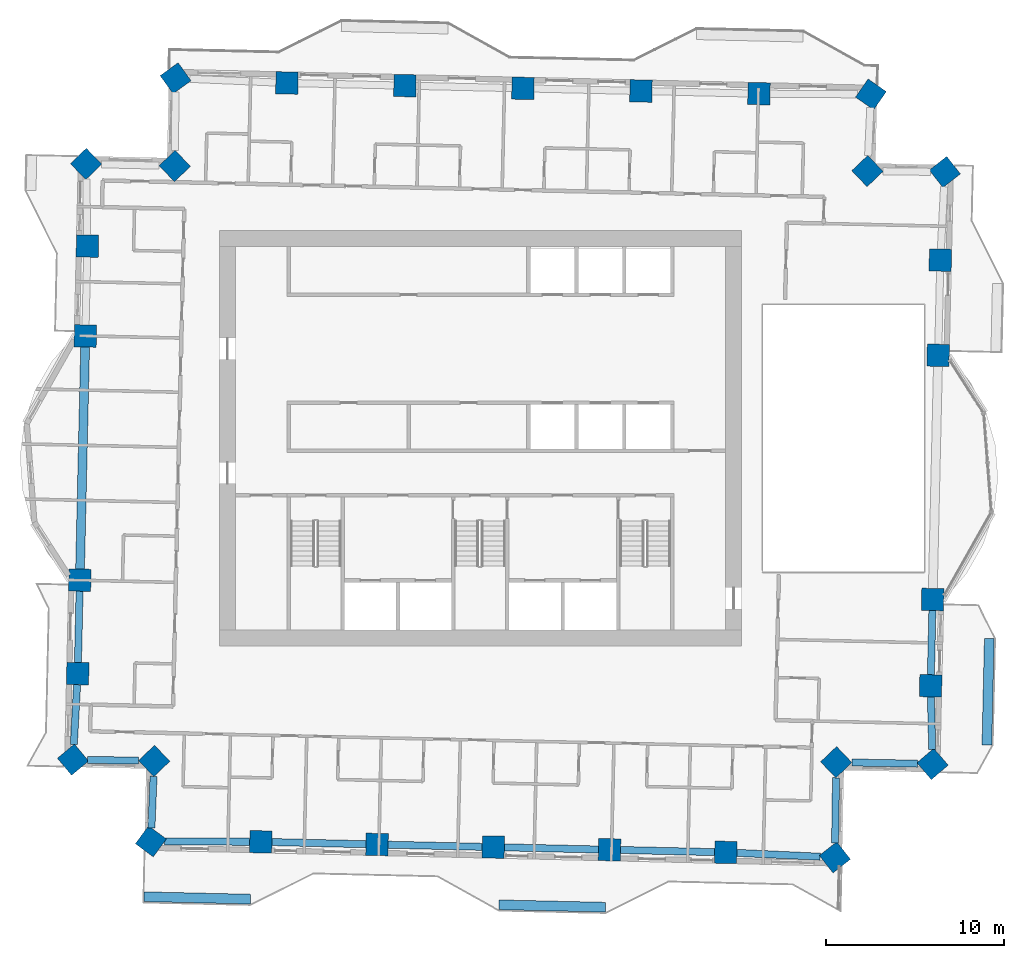
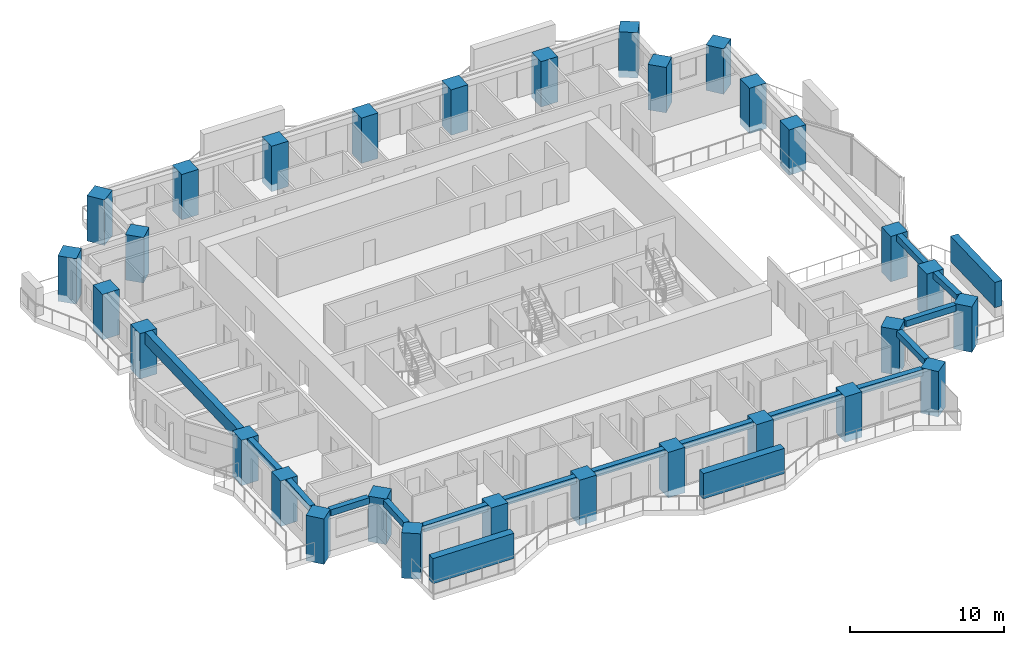
# One storey, part 1 of 14: 30 columns, 15 beams, 3 members.
"""IFC4 building model written with IfcOpenShell, lengths in metres."""

from ifc_helpers import new_model, si_unit, direction, frame, origin, origin_2d, place, context, subcontext, project, spatial, rectangle, extrude, material, material_profile, profile_set, type_object, element, save


model = new_model("IFC4")

# Units and contexts
model_context = context("Model", 3, precision=1e-05, world=origin(), true_north=direction((0.0, 1.0)))
body_context = subcontext(model_context, "Body", "Model", "MODEL_VIEW")
ifc_project = project(units=[si_unit("LENGTHUNIT", "METRE"), si_unit("AREAUNIT", "SQUARE_METRE"), si_unit("VOLUMEUNIT", "CUBIC_METRE"), si_unit("PLANEANGLEUNIT", "RADIAN"), si_unit("MASSUNIT", "GRAM", prefix="KILO")], contexts=[model_context])

# Site, building, storey
site_placement = place(None, origin())
site = spatial("IfcSite", under=ifc_project, at=site_placement, CompositionType="ELEMENT")
building_placement = place(site_placement, origin())
building = spatial("IfcBuilding", under=site, at=building_placement, Name="Mangrove Gate Tower", CompositionType="ELEMENT")
storey_placement = place(building_placement, frame((0.0, 0.0, 159.89990234375)))
storey = spatial("IfcBuildingStorey", under=building, at=storey_placement, Name="L40", CompositionType="ELEMENT", Elevation=159.89990234375)

# Columns
ifc_material_1 = material(Name="Concrete C60/75", Category="concrete")
ifc_material_profile_1 = material_profile(ifc_material_1, rectangle(XDim=1.25, YDim=1.25, at=origin_2d()))
ifc_profile_set_1 = profile_set([ifc_material_profile_1], Name="Concrete C60/75")
column_type = type_object("IfcColumnType", Name="Column RC 1250x1250 C60/75", PredefinedType="COLUMN", material=ifc_profile_set_1)
for number, where, z_axis, x_axis, name in (
    (1, (-22.565185546875, -7.979248046875, -0.5498046875), (0.0, 0.0, 1.0), (-0.022667651322, -0.999743055782, 0.0), "Column L40 W05"),
    (2, (-22.68408203125, -13.240234375, -0.5498046875), (0.0, 0.0, 1.0), (-0.022613490188, -0.999744282335, 0.0), "Column L40 W06"),
    (3, (-22.9482421875, -18.08642578125, -0.5498046875), (0.0, 0.0, 1.0), (0.640873753585, -0.767646293527, 0.0), "Column L40 W07"),
    (4, (-18.378173828125, -18.1591796875, -0.5498046875), (0.0, 0.0, 1.0), (0.690859559249, -0.722988982899, 0.0), "Column L40 W08"),
    (5, (-18.563232421875, -22.686767578125, -0.5498046875), (0.0, 0.0, 1.0), (0.804996144733, -0.593280040929, 0.0), "Column L40 S01"),
    (6, (-12.374755859375, -22.713134765625, -0.5498046875), (0.0, 0.0, 1.0), (0.999742702367, -0.022683233105, 0.0), "Column L40 S02"),
    (7, (-5.829833984375, -22.862060546875, -0.5498046875), (0.0, 0.0, 1.0), (0.999742702367, -0.022683233105, 0.0), "Column L40 S03"),
    (8, (0.715087890625, -23.01025390625, -0.5498046875), (0.0, 0.0, 1.0), (0.999742702367, -0.022683233105, 0.0), "Column L40 S04"),
    (9, (7.26025390625, -23.1591796875, -0.5498046875), (0.0, 0.0, 1.0), (0.999742702367, -0.022683233105, 0.0), "Column L40 S05"),
    (10, (13.80517578125, -23.30712890625, -0.5498046875), (0.0, 0.0, 1.0), (0.999742702367, -0.022683233105, 0.0), "Column L40 S06"),
    (11, (19.94921875, -23.590087890625, -0.5498046875), (0.0, 0.0, 1.0), (0.785651346068, 0.618669509853, 0.0), "Column L40 S07"),
    (12, (20.026123046875, -18.230224609375, -0.5498046875), (0.0, 0.0, 1.0), (0.722965976266, 0.690883635037, 0.0), "Column L40 E01"),
    (13, (25.449462890625, -18.3310546875, -0.5498046875), (0.0, 0.0, 1.0), (0.758167511602, 0.65205983188, 0.0), "Column L40 E02"),
    (14, (25.342041015625, -13.9296875, -0.5498046875), (0.0, 0.0, 1.0), (0.022726069892, 0.999741729522, 0.0), "Column L40 E03"),
    (15, (25.453125, -9.06884765625, -0.5498046875), (0.0, 0.0, 1.0), (0.022725057863, 0.999741752527, 0.0), "Column L40 E04"),
    (16, (25.76513671875, 4.67919921875, -0.5498046875), (0.0, 0.0, 1.0), (0.022654843895, 0.999743346088, 0.0), "Column L40 E05"),
    (17, (25.88623046875, 10.0390625, -0.5498046875), (0.0, 0.0, 1.0), (0.022659973846, 0.999743229827, 0.0), "Column L40 E06"),
    (18, (26.140869140625, 15.000732421875, -0.5498046875), (0.0, 0.0, 1.0), (-0.616591984417, 0.787282874672, 0.0), "Column L40 E07"),
    (19, (21.7822265625, 15.05419921875, -0.5498046875), (0.0, 0.0, 1.0), (-0.690854032309, 0.722994264183, 0.0), "Column L40 E08"),
    (20, (21.977294921875, 19.371826171875, -0.5498046875), (0.0, 0.0, 1.0), (-0.821084149613, 0.570807164684, 0.0), "Column L40 N01"),
    (21, (15.6748046875, 19.4111328125, -0.5498046875), (0.0, 0.0, 1.0), (-0.999741913136, 0.022717991104, 0.0), "Column L40 N02"),
    (22, (9.02978515625, 19.562255859375, -0.5498046875), (0.0, 0.0, 1.0), (-0.999741913136, 0.022717991104, 0.0), "Column L40 N03"),
    (23, (2.384765625, 19.713134765625, -0.5498046875), (0.0, 0.0, 1.0), (-0.999743618843, 0.022642804212, 0.0), "Column L40 N04"),
    (24, (-4.26025390625, 19.86328125, -0.5498046875), (0.0, 0.0, 1.0), (-0.999743618843, 0.022642804212, 0.0), "Column L40 N05"),
    (25, (-10.9052734375, 20.01416015625, -0.5498046875), (0.0, 0.0, 1.0), (-0.999741913136, 0.022717991104, 0.0), "Column L40 N06"),
    (26, (-17.171630859375, 20.2822265625, -0.5498046875), (0.0, 0.0, 1.0), (-0.812545678333, -0.582897521545, 0.0), "Column L40 N07"),
    (27, (-17.21728515625, 15.339111328125, -0.5498046875), (0.0, 0.0, 1.0), (-0.722976563275, -0.690872556232, 0.0), "Column L40 W01"),
    (28, (-22.21337890625, 15.455810546875, -0.5498046875), (0.0, 0.0, 1.0), (-0.718744863036, -0.695273918581, 0.0), "Column L40 W02"),
    (29, (-22.13818359375, 10.829833984375, -0.5498046875), (0.0, 0.0, 1.0), (-0.022716926728, -0.999741937322, 0.0), "Column L40 W03"),
    (30, (-22.253173828125, 5.768798828125, -0.5498046875), (0.0, 0.0, 1.0), (-0.022696057972, -0.9997424113, 0.0), "Column L40 W04"),
):
    element("IfcColumn", number, at=place(storey_placement, frame(where, z_axis=z_axis, x_axis=x_axis)), inside=storey, type_object=column_type, Name=name, PredefinedType="COLUMN", context=body_context, shape_type="SweptSolid", body=[
        extrude(rectangle(XDim=1.25, YDim=1.25, at=origin_2d()), origin(), (0.0, 0.0, 1.0), 3.599853515625),
    ])

# Members
ifc_material_2 = material(Name="Planting on aluminium trellis", Category="aluminium")
ifc_material_profile_2 = material_profile(ifc_material_2, rectangle(XDim=0.550048828125, YDim=2.0, at=origin_2d()))
ifc_profile_set_2 = profile_set([ifc_material_profile_2], Name="Planting on aluminium trellis")
member_type = type_object("IfcMemberType", Name="Balcony greenery screen 550x2000", PredefinedType="USERDEFINED", material=ifc_profile_set_2)
member_placement = place(storey_placement, frame((28.508056640625, -17.264892578125, 1.800048828125), z_axis=(0.022663177671, 0.999743157205, 0.0), x_axis=(-0.999743157205, 0.022663177671, 0.0)))
element("IfcMember", 31, at=member_placement, inside=storey, type_object=member_type, Name="GREEN SCREEN L40 E0.1", ObjectType="PLANTING", PredefinedType="USERDEFINED", context=body_context, shape_type="SweptSolid", body=[
    extrude(rectangle(XDim=0.550048828125, YDim=2.0, at=origin_2d()), origin(), (0.0, 0.0, 1.0), 6.000244140625),
])
for number, where, z_axis, x_axis, name in (
    (32, (-18.9541015625, -25.804931640625, 1.800048828125), (0.999743178102, -0.022662255828, 0.0), (0.022662255828, 0.999743178102, 0.0), "GREEN SCREEN L40 S0.1"),
    (33, (1.041015625, -26.259033203125, 1.800048828125), (0.999743178102, -0.022662255828, 0.0), (0.022662255828, 0.999743178102, 0.0), "GREEN SCREEN L40 S1.1"),
):
    element("IfcMember", number, at=place(storey_placement, frame(where, z_axis=z_axis, x_axis=x_axis)), inside=storey, type_object=member_type, Name=name, ObjectType="PLANTING", PredefinedType="USERDEFINED", context=body_context, shape_type="SweptSolid", body=[
        extrude(rectangle(XDim=0.550048828125, YDim=2.0, at=origin_2d()), origin(), (0.0, 0.0, 1.0), 6.00048828125),
    ])

# Beams
ifc_material_3 = material(Name="Concrete C50/60", Category="concrete")
ifc_material_profile_3 = material_profile(ifc_material_3, rectangle(XDim=0.39990234375, YDim=0.5, at=origin_2d()))
ifc_profile_set_3 = profile_set([ifc_material_profile_3], Name="Concrete C50/60")
beam_type_1 = type_object("IfcBeamType", Name="Edge beam RC 400x500 C50/60", PredefinedType="BEAM", material=ifc_profile_set_3)
beam_1_placement = place(storey_placement, frame((-22.579345703125, -8.60400390625, 2.800048828125), z_axis=(-0.02257489059, -0.999745154684, 0.0), x_axis=(0.999745154684, -0.02257489059, 0.0)))
element("IfcBeam", 34, at=beam_1_placement, inside=storey, type_object=beam_type_1, Name="Edge beam L40 00", PredefinedType="BEAM", context=body_context, shape_type="SweptSolid", body=[
    extrude(rectangle(XDim=0.39990234375, YDim=0.5, at=origin_2d()), origin(), (0.0, 0.0, 1.0), 4.01220703125),
])
beam_2_placement = place(storey_placement, frame((-22.71826171875, -13.864501953125, 2.800048828125), z_axis=(-0.054415957845, -0.998518354129, 0.0), x_axis=(0.998518354129, -0.054415957845, 0.0)))
element("IfcBeam", 35, at=beam_2_placement, inside=storey, type_object=beam_type_1, Name="Edge beam L40 01", PredefinedType="BEAM", context=body_context, shape_type="SweptSolid", body=[
    extrude(rectangle(XDim=0.39990234375, YDim=0.5, at=origin_2d()), origin(), (0.0, 0.0, 1.0), 3.373779296875),
])
beam_3_placement = place(storey_placement, frame((-22.123046875, -18.099609375, 2.800048828125), z_axis=(0.999873252746, -0.015921006324, 0.0), x_axis=(0.015921006324, 0.999873252746, 0.0)))
element("IfcBeam", 36, at=beam_3_placement, inside=storey, type_object=beam_type_1, Name="Edge beam L40 02", PredefinedType="BEAM", context=body_context, shape_type="SweptSolid", body=[
    extrude(rectangle(XDim=0.39990234375, YDim=0.5, at=origin_2d()), origin(), (0.0, 0.0, 1.0), 2.867431640625),
])
beam_4_placement = place(storey_placement, frame((-18.41357421875, -19.02685546875, 2.800048828125), z_axis=(-0.040876425579, -0.999164209643, 0.0), x_axis=(0.999164209643, -0.040876425579, 0.0)))
element("IfcBeam", 37, at=beam_4_placement, inside=storey, type_object=beam_type_1, Name="Edge beam L40 03", PredefinedType="BEAM", context=body_context, shape_type="SweptSolid", body=[
    extrude(rectangle(XDim=0.39990234375, YDim=0.5, at=origin_2d()), origin(), (0.0, 0.0, 1.0), 2.90869140625),
])
beam_5_placement = place(storey_placement, frame((-17.789306640625, -22.690185546875, 2.800048828125), z_axis=(0.999991049338, -0.004230986241, 0.0), x_axis=(0.004230986241, 0.999991049338, 0.0)))
element("IfcBeam", 38, at=beam_5_placement, inside=storey, type_object=beam_type_1, Name="Edge beam L40 04", PredefinedType="BEAM", context=body_context, shape_type="SweptSolid", body=[
    extrude(rectangle(XDim=0.39990234375, YDim=0.5, at=origin_2d()), origin(), (0.0, 0.0, 1.0), 4.789306640625),
])
for number, where, z_axis, x_axis, name in (
    (39, (-11.75, -22.727294921875, 2.800048828125), (0.999740739783, -0.022769567794, 0.0), (0.022769567794, 0.999740739783, 0.0), "Edge beam L40 05"),
    (40, (-5.205078125, -22.876220703125, 2.800048828125), (0.999743877925, -0.022631362105, 0.0), (0.022631362105, 0.999743877925, 0.0), "Edge beam L40 06"),
):
    element("IfcBeam", number, at=place(storey_placement, frame(where, z_axis=z_axis, x_axis=x_axis)), inside=storey, type_object=beam_type_1, Name=name, PredefinedType="BEAM", context=body_context, shape_type="SweptSolid", body=[
        extrude(rectangle(XDim=0.39990234375, YDim=0.5, at=origin_2d()), origin(), (0.0, 0.0, 1.0), 5.296875),
    ])
beam_6_placement = place(storey_placement, frame((1.340087890625, -23.0244140625, 2.800048828125), z_axis=(0.999740715885, -0.022770617071, 0.0), x_axis=(0.022770617071, 0.999740715885, 0.0)))
element("IfcBeam", 41, at=beam_6_placement, inside=storey, type_object=beam_type_1, Name="Edge beam L40 07", PredefinedType="BEAM", context=body_context, shape_type="SweptSolid", body=[
    extrude(rectangle(XDim=0.39990234375, YDim=0.5, at=origin_2d()), origin(), (0.0, 0.0, 1.0), 5.296630859375),
])
beam_7_placement = place(storey_placement, frame((7.885009765625, -23.17333984375, 2.800048828125), z_axis=(0.999744919731, -0.022585293253, 0.0), x_axis=(0.022585293253, 0.999744919731, 0.0)))
element("IfcBeam", 42, at=beam_7_placement, inside=storey, type_object=beam_type_1, Name="Edge beam L40 08", PredefinedType="BEAM", context=body_context, shape_type="SweptSolid", body=[
    extrude(rectangle(XDim=0.39990234375, YDim=0.5, at=origin_2d()), origin(), (0.0, 0.0, 1.0), 5.296875),
])
beam_8_placement = place(storey_placement, frame((14.4296875, -23.3359375, 2.800048828125), z_axis=(0.998942344902, -0.045980338859, 0.0), x_axis=(0.045980338859, 0.998942344902, 0.0)))
element("IfcBeam", 43, at=beam_8_placement, inside=storey, type_object=beam_type_1, Name="Edge beam L40 09", PredefinedType="BEAM", context=body_context, shape_type="SweptSolid", body=[
    extrude(rectangle(XDim=0.39990234375, YDim=0.5, at=origin_2d()), origin(), (0.0, 0.0, 1.0), 4.698974609375),
])
beam_9_placement = place(storey_placement, frame((19.9609375, -22.785400390625, 2.800048828125), z_axis=(0.014333541957, 0.999897269511, 0.0), x_axis=(-0.999897269511, 0.014333541957, 0.0)))
element("IfcBeam", 44, at=beam_9_placement, inside=storey, type_object=beam_type_1, Name="Edge beam L40 10", PredefinedType="BEAM", context=body_context, shape_type="SweptSolid", body=[
    extrude(rectangle(XDim=0.39990234375, YDim=0.5, at=origin_2d()), origin(), (0.0, 0.0, 1.0), 3.67919921875),
])
beam_10_placement = place(storey_placement, frame((20.90625, -18.24658203125, 2.800048828125), z_axis=(0.999827422602, -0.018577540566, 0.0), x_axis=(0.018577540566, 0.999827422602, 0.0)))
element("IfcBeam", 45, at=beam_10_placement, inside=storey, type_object=beam_type_1, Name="Edge beam L40 11", PredefinedType="BEAM", context=body_context, shape_type="SweptSolid", body=[
    extrude(rectangle(XDim=0.39990234375, YDim=0.5, at=origin_2d()), origin(), (0.0, 0.0, 1.0), 3.7060546875),
])
beam_11_placement = place(storey_placement, frame((25.4296875, -17.523681640625, 2.800048828125), z_axis=(-0.024338897392, 0.999703765159, 0.0), x_axis=(-0.999703765159, -0.024338897392, 0.0)))
element("IfcBeam", 46, at=beam_11_placement, inside=storey, type_object=beam_type_1, Name="Edge beam L40 12", PredefinedType="BEAM", context=body_context, shape_type="SweptSolid", body=[
    extrude(rectangle(XDim=0.39990234375, YDim=0.5, at=origin_2d()), origin(), (0.0, 0.0, 1.0), 2.96923828125),
])
beam_12_placement = place(storey_placement, frame((25.3564453125, -13.304931640625, 2.800048828125), z_axis=(0.022844226229, 0.999739036613, 0.0), x_axis=(-0.999739036613, 0.022844226229, 0.0)))
element("IfcBeam", 47, at=beam_12_placement, inside=storey, type_object=beam_type_1, Name="Edge beam L40 13", PredefinedType="BEAM", context=body_context, shape_type="SweptSolid", body=[
    extrude(rectangle(XDim=0.39990234375, YDim=0.5, at=origin_2d()), origin(), (0.0, 0.0, 1.0), 3.6123046875),
])
ifc_material_4 = material(Name="Concrete C50/60", Category="concrete")
ifc_material_profile_4 = material_profile(ifc_material_4, rectangle(XDim=0.5, YDim=0.949951171875, at=origin_2d()))
ifc_profile_set_4 = profile_set([ifc_material_profile_4], Name="Concrete C50/60")
beam_type_2 = type_object("IfcBeamType", Name="Edge beam RC 500x950 C50/60", PredefinedType="BEAM", material=ifc_profile_set_4)
beam_13_placement = place(storey_placement, frame((-22.267333984375, 5.14404296875, 2.5751953125), z_axis=(-0.02269257074, -0.999742490461, 0.0), x_axis=(0.999742490461, -0.02269257074, 0.0)))
element("IfcBeam", 48, at=beam_13_placement, inside=storey, type_object=beam_type_2, Name="Edge beam L40 29", PredefinedType="BEAM", context=body_context, shape_type="SweptSolid", body=[
    extrude(rectangle(XDim=0.5, YDim=0.949951171875, at=origin_2d()), origin(), (0.0, 0.0, 1.0), 12.50146484375),
])

save(model, "model.ifc")
